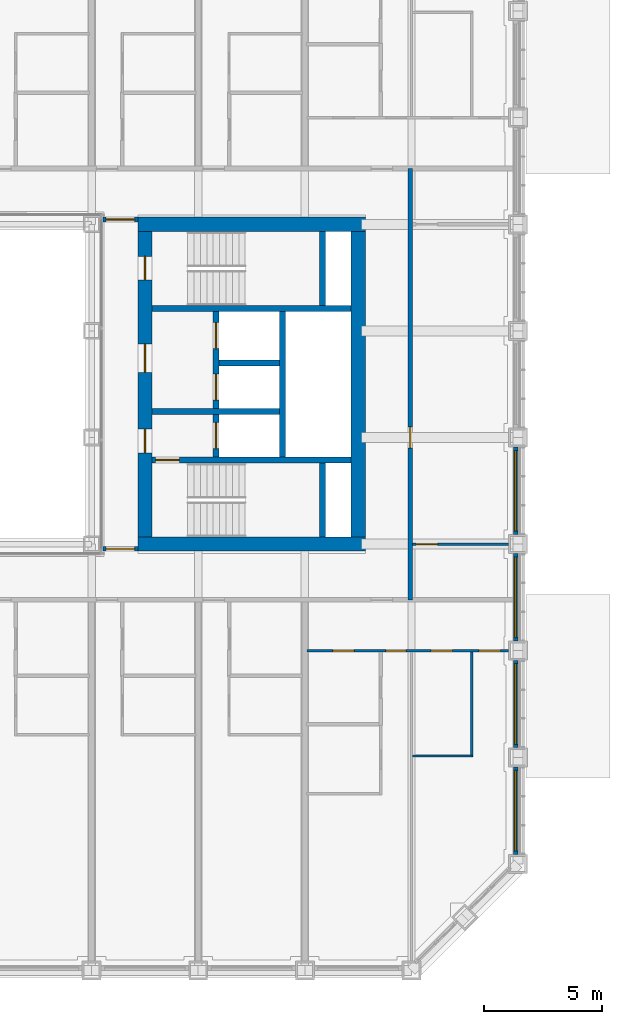
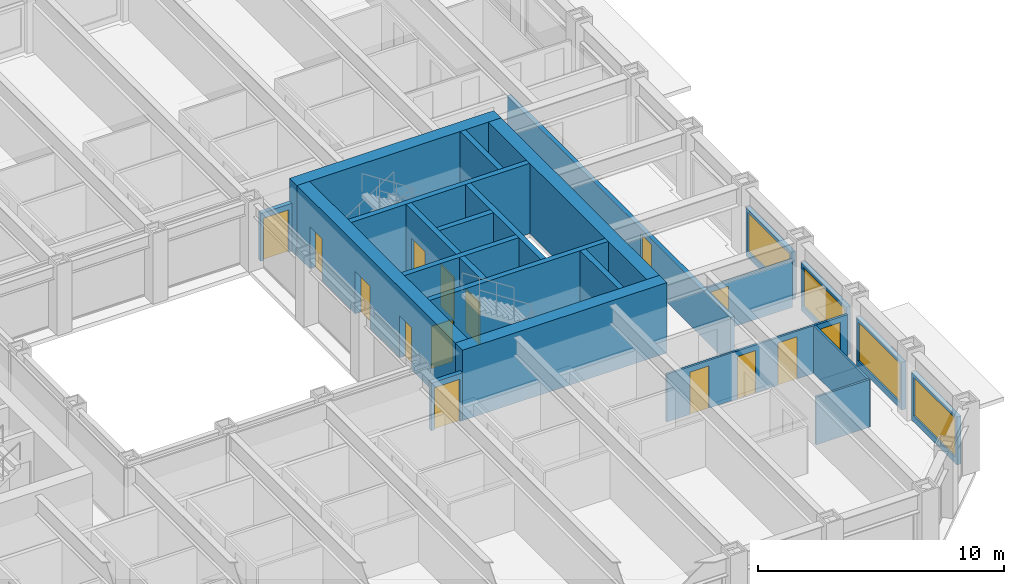
# One storey, part 15 of 24: 23 walls, 15 doors, 4 windows, 19 openings.
"""IFC4 building model written with IfcOpenShell, lengths in metres."""

from ifc_helpers import new_model, si_unit, direction, frame, frame_2d, origin, place, context, subcontext, project, spatial, rectangle, extrude, material, layer, layer_set, type_object, element, fill, save


model = new_model("IFC4")

# Units and contexts
model_context = context("Model", 3, precision=1e-05, world=origin(), true_north=direction((0.0, 1.0)))
body_context = subcontext(model_context, "Body", "Model", "MODEL_VIEW")
ifc_project = project(units=[si_unit("LENGTHUNIT", "METRE"), si_unit("AREAUNIT", "SQUARE_METRE"), si_unit("VOLUMEUNIT", "CUBIC_METRE"), si_unit("PLANEANGLEUNIT", "RADIAN"), si_unit("MASSUNIT", "GRAM", prefix="KILO")], contexts=[model_context])

# Site, building, storey
site_placement = place(None, origin())
site = spatial("IfcSite", under=ifc_project, at=site_placement, CompositionType="ELEMENT")
building_placement = place(site_placement, origin())
building = spatial("IfcBuilding", under=site, at=building_placement, Name="Msasa Ring Tower", CompositionType="ELEMENT")
storey_placement = place(building_placement, frame((0.0, 0.0, 26.5)))
storey = spatial("IfcBuildingStorey", under=building, at=storey_placement, Name="L05", CompositionType="ELEMENT", Elevation=26.5)

# Walls
ifc_material_1 = material(Name="Concrete C60/75", Category="concrete")
ifc_layer_1 = layer(ifc_material_1, 0.60009765625)
ifc_layer_set_1 = layer_set([ifc_layer_1], Name="CW1 CORE WALL 600")
wall_type_1 = type_object("IfcWallType", Name="CW1 CORE WALL 600", PredefinedType="SHEAR", material=ifc_layer_set_1)
for number, where, z_axis, x_axis, name in (
    (1, (8.699951171875, -6.75, 0.0), (0.0, 0.0, 1.0), (1.0, 0.0, 0.0), "E core wall S L05"),
    (2, (8.699951171875, 6.75, 0.0), (0.0, 0.0, 1.0), (1.0, 0.0, 0.0), "E core wall N L05"),
):
    element("IfcWall", number, at=place(storey_placement, frame(where, z_axis=z_axis, x_axis=x_axis)), inside=storey, type_object=wall_type_1, Name=name, PredefinedType="SHEAR", context=body_context, shape_type="SweptSolid", body=[
        extrude(rectangle(XDim=9.60009765625, YDim=0.60009765625, at=frame_2d((4.800048828125, 0.0))), origin(), (0.0, 0.0, 1.0), 3.5),
    ])

# Wall, openings, doors
wall_1_placement = place(storey_placement, frame((9.0, -6.449951171875, 0.0), z_axis=(0.0, 0.0, 1.0), x_axis=(0.0, 1.0, 0.0)))
wall_1 = element("IfcWall", 3, at=wall_1_placement, inside=storey, type_object=wall_type_1, Name="E core wall W L05", PredefinedType="SHEAR", context=body_context, shape_type="SweptSolid", body=[
    extrude(rectangle(XDim=12.89990234375, YDim=0.60009765625, at=frame_2d((6.449951171875, 0.0))), origin(), (0.0, 0.0, 1.0), 3.5),
])
opening_1_placement = place(wall_1_placement, frame((3.550048828125, 0.0, 0.0)))
opening_1 = element("IfcOpeningElement", 4, at=opening_1_placement, cuts=wall_1, Name="Opening RA-046", PredefinedType="OPENING", context=body_context, shape_type="SweptSolid", body=[
    extrude(rectangle(XDim=1.0, YDim=2.10009765625, at=frame_2d((0.5, 1.050048828125))), frame((0.0, 0.31005859375, 0.0), z_axis=(0.0, -1.0, 0.0), x_axis=(1.0, 0.0, 0.0)), (0.0, 0.0, 1.0), 0.6201171875),
])
opening_2_placement = place(wall_1_placement, frame((6.949951171875, 0.0, 0.0)))
opening_2 = element("IfcOpeningElement", 5, at=opening_2_placement, cuts=wall_1, Name="Opening RA-041", PredefinedType="OPENING", context=body_context, shape_type="SweptSolid", body=[
    extrude(rectangle(XDim=1.199951171875, YDim=2.10009765625, at=frame_2d((0.60009765625, 1.050048828125))), frame((0.0, 0.31005859375, 0.0), z_axis=(0.0, -1.0, 0.0), x_axis=(1.0, 0.0, 0.0)), (0.0, 0.0, 1.0), 0.6201171875),
])
opening_3_placement = place(wall_1_placement, frame((10.85009765625, 0.0, 0.0)))
opening_3 = element("IfcOpeningElement", 6, at=opening_3_placement, cuts=wall_1, Name="Opening RA-039", PredefinedType="OPENING", context=body_context, shape_type="SweptSolid", body=[
    extrude(rectangle(XDim=1.0, YDim=2.10009765625, at=frame_2d((0.5, 1.050048828125))), frame((0.0, 0.31005859375, 0.0), z_axis=(0.0, -1.0, 0.0), x_axis=(1.0, 0.0, 0.0)), (0.0, 0.0, 1.0), 0.6201171875),
])
ifc_material_2 = material(Name="Timber door leaf in a steel frame", Category="steel")
door_type_1 = type_object("IfcDoorType", Name="D4 LOBBY DOOR 1000x2100", OperationType="SINGLE_SWING_LEFT", PredefinedType="DOOR", material=ifc_material_2)
door_1_placement = place(opening_1_placement, origin())
door_1 = element("IfcDoor", 7, at=door_1_placement, inside=storey, type_object=door_type_1, Name="Door L05-EFFL", OperationType="SINGLE_SWING_LEFT", OverallHeight=2.10009765625, OverallWidth=1.0, PredefinedType="DOOR", context=body_context, shape_type="SweptSolid", body=[
    extrude(rectangle(XDim=1.0, YDim=2.10009765625, at=frame_2d((0.5, 1.050048828125))), frame((0.0, 0.02490234375, 0.0), z_axis=(0.0, -1.0, 0.0), x_axis=(1.0, 0.0, 0.0)), (0.0, 0.0, 1.0), 0.050048828125),
])
fill(opening_1, door_1)
ifc_material_3 = material(Name="Timber door leaf in a steel frame", Category="steel")
door_type_2 = type_object("IfcDoorType", Name="D5 WIDE LOBBY DOOR 1200x2100", OperationType="SINGLE_SWING_LEFT", PredefinedType="DOOR", material=ifc_material_3)
door_2_placement = place(opening_2_placement, origin())
door_2 = element("IfcDoor", 8, at=door_2_placement, inside=storey, type_object=door_type_2, Name="Door L05-ELL", OperationType="SINGLE_SWING_RIGHT", OverallHeight=2.10009765625, OverallWidth=1.199951171875, PredefinedType="DOOR", context=body_context, shape_type="SweptSolid", body=[
    extrude(rectangle(XDim=1.199951171875, YDim=2.10009765625, at=frame_2d((0.60009765625, 1.050048828125))), frame((0.0, 0.02490234375, 0.0), z_axis=(0.0, -1.0, 0.0), x_axis=(1.0, 0.0, 0.0)), (0.0, 0.0, 1.0), 0.050048828125),
])
fill(opening_2, door_2)
ifc_material_4 = material(Name="Timber door leaf in a steel frame", Category="steel")
door_type_3 = type_object("IfcDoorType", Name="D6 STAIR DOOR 1000x2100", OperationType="SINGLE_SWING_LEFT", PredefinedType="DOOR", material=ifc_material_4)
door_3_placement = place(opening_3_placement, origin())
door_3 = element("IfcDoor", 9, at=door_3_placement, inside=storey, type_object=door_type_3, Name="Door L05-ESTB", OperationType="SINGLE_SWING_RIGHT", OverallHeight=2.10009765625, OverallWidth=1.0, PredefinedType="DOOR", context=body_context, shape_type="SweptSolid", body=[
    extrude(rectangle(XDim=1.0, YDim=2.10009765625, at=frame_2d((0.5, 1.050048828125))), frame((0.0, 0.02490234375, 0.0), z_axis=(0.0, -1.0, 0.0), x_axis=(1.0, 0.0, 0.0)), (0.0, 0.0, 1.0), 0.050048828125),
])
fill(opening_3, door_3)

# Wall
wall_2_placement = place(storey_placement, frame((18.0, -6.449951171875, 0.0), z_axis=(0.0, 0.0, 1.0), x_axis=(0.0, 1.0, 0.0)))
element("IfcWall", 10, at=wall_2_placement, inside=storey, type_object=wall_type_1, Name="E core wall E L05", PredefinedType="SHEAR", context=body_context, shape_type="SweptSolid", body=[
    extrude(rectangle(XDim=12.89990234375, YDim=0.60009765625, at=frame_2d((6.449951171875, 0.0))), origin(), (0.0, 0.0, 1.0), 3.5),
])

# Wall, opening, door
ifc_material_5 = material(Name="Concrete C60/75", Category="concrete")
ifc_layer_2 = layer(ifc_material_5, 0.25)
ifc_layer_set_2 = layer_set([ifc_layer_2], Name="CW4 CORE INNER WALL 250")
wall_type_2 = type_object("IfcWallType", Name="CW4 CORE INNER WALL 250", PredefinedType="SHEAR", material=ifc_layer_set_2)
wall_3_placement = place(storey_placement, frame((9.300048828125, -3.199951171875, 0.0), z_axis=(0.0, 0.0, 1.0), x_axis=(1.0, 0.0, 0.0)))
wall_3 = element("IfcWall", 11, at=wall_3_placement, inside=storey, type_object=wall_type_2, Name="E core wall STAIRA L05", PredefinedType="SHEAR", context=body_context, shape_type="SweptSolid", body=[
    extrude(rectangle(XDim=8.39990234375, YDim=0.25, at=frame_2d((4.199951171875, 0.0))), origin(), (0.0, 0.0, 1.0), 3.5),
])
opening_4_placement = place(wall_3_placement, frame((0.14990234375, 0.0, 0.0)))
opening_4 = element("IfcOpeningElement", 12, at=opening_4_placement, cuts=wall_3, Name="Opening RA-048", PredefinedType="OPENING", context=body_context, shape_type="SweptSolid", body=[
    extrude(rectangle(XDim=1.0, YDim=2.10009765625, at=frame_2d((0.5, 1.050048828125))), frame((0.0, 0.135009765625, 0.0), z_axis=(0.0, -1.0, 0.0), x_axis=(1.0, 0.0, 0.0)), (0.0, 0.0, 1.0), 0.27001953125),
])
door_4_placement = place(opening_4_placement, origin())
door_4 = element("IfcDoor", 13, at=door_4_placement, inside=storey, type_object=door_type_3, Name="Door L05-ESTA", OperationType="SINGLE_SWING_LEFT", OverallHeight=2.10009765625, OverallWidth=1.0, PredefinedType="DOOR", context=body_context, shape_type="SweptSolid", body=[
    extrude(rectangle(XDim=1.0, YDim=2.10009765625, at=frame_2d((0.5, 1.050048828125))), frame((0.0, 0.02490234375, 0.0), z_axis=(0.0, -1.0, 0.0), x_axis=(1.0, 0.0, 0.0)), (0.0, 0.0, 1.0), 0.050048828125),
])
fill(opening_4, door_4)

# Walls
wall_4_placement = place(storey_placement, frame((9.300048828125, 3.199951171875, 0.0), z_axis=(0.0, 0.0, 1.0), x_axis=(1.0, 0.0, 0.0)))
element("IfcWall", 14, at=wall_4_placement, inside=storey, type_object=wall_type_2, Name="E core wall STAIRB L05", PredefinedType="SHEAR", context=body_context, shape_type="SweptSolid", body=[
    extrude(rectangle(XDim=8.39990234375, YDim=0.25, at=frame_2d((4.199951171875, 0.0))), origin(), (0.0, 0.0, 1.0), 3.5),
])
for number, where, z_axis, x_axis, name in (
    (15, (16.5, -6.449951171875, 0.0), (0.0, 0.0, 1.0), (0.0, 1.0, 0.0), "E core wall RISERA L05"),
    (16, (16.5, 3.324951171875, 0.0), (0.0, 0.0, 1.0), (0.0, 1.0, 0.0), "E core wall RISERB L05"),
):
    element("IfcWall", number, at=place(storey_placement, frame(where, z_axis=z_axis, x_axis=x_axis)), inside=storey, type_object=wall_type_2, Name=name, PredefinedType="SHEAR", context=body_context, shape_type="SweptSolid", body=[
        extrude(rectangle(XDim=3.125, YDim=0.25, at=frame_2d((1.5625, 0.0))), origin(), (0.0, 0.0, 1.0), 3.5),
    ])
wall_5_placement = place(storey_placement, frame((9.300048828125, -1.14990234375, 0.0), z_axis=(0.0, 0.0, 1.0), x_axis=(1.0, 0.0, 0.0)))
element("IfcWall", 17, at=wall_5_placement, inside=storey, type_object=wall_type_2, Name="E core wall FFL L05", PredefinedType="SHEAR", context=body_context, shape_type="SweptSolid", body=[
    extrude(rectangle(XDim=5.375, YDim=0.25, at=frame_2d((2.6875, 0.0))), origin(), (0.0, 0.0, 1.0), 3.5),
])

# Wall, openings, doors
wall_6_placement = place(storey_placement, frame((12.0, -3.074951171875, 0.0), z_axis=(0.0, 0.0, 1.0), x_axis=(0.0, 1.0, 0.0)))
wall_6 = element("IfcWall", 18, at=wall_6_placement, inside=storey, type_object=wall_type_2, Name="E core wall LOBBY L05", PredefinedType="SHEAR", context=body_context, shape_type="SweptSolid", body=[
    extrude(rectangle(XDim=6.14990234375, YDim=0.25, at=frame_2d((3.074951171875, 0.0))), origin(), (0.0, 0.0, 1.0), 3.5),
])
opening_5_placement = place(wall_6_placement, frame((0.35009765625, 0.0, 0.0)))
opening_5 = element("IfcOpeningElement", 19, at=opening_5_placement, cuts=wall_6, Name="Opening LD1", PredefinedType="OPENING", context=body_context, shape_type="SweptSolid", body=[
    extrude(rectangle(XDim=1.10009765625, YDim=2.10009765625, at=frame_2d((0.550048828125, 1.050048828125))), frame((0.0, 0.135009765625, 0.0), z_axis=(0.0, -1.0, 0.0), x_axis=(1.0, 0.0, 0.0)), (0.0, 0.0, 1.0), 0.27001953125),
])
opening_6_placement = place(wall_6_placement, frame((2.39990234375, 0.0, 0.0)))
opening_6 = element("IfcOpeningElement", 20, at=opening_6_placement, cuts=wall_6, Name="Opening LD1", PredefinedType="OPENING", context=body_context, shape_type="SweptSolid", body=[
    extrude(rectangle(XDim=1.10009765625, YDim=2.10009765625, at=frame_2d((0.550048828125, 1.050048828125))), frame((0.0, 0.135009765625, 0.0), z_axis=(0.0, -1.0, 0.0), x_axis=(1.0, 0.0, 0.0)), (0.0, 0.0, 1.0), 0.27001953125),
])
opening_7_placement = place(wall_6_placement, frame((4.574951171875, 0.0, 0.0)))
opening_7 = element("IfcOpeningElement", 21, at=opening_7_placement, cuts=wall_6, Name="Opening LD1", PredefinedType="OPENING", context=body_context, shape_type="SweptSolid", body=[
    extrude(rectangle(XDim=1.10009765625, YDim=2.10009765625, at=frame_2d((0.550048828125, 1.050048828125))), frame((0.0, 0.135009765625, 0.0), z_axis=(0.0, -1.0, 0.0), x_axis=(1.0, 0.0, 0.0)), (0.0, 0.0, 1.0), 0.27001953125),
])
ifc_material_6 = material(Name="Stainless steel lift landing door", Category="steel")
door_type_4 = type_object("IfcDoorType", Name="LD1 LIFT LANDING DOOR 1100x2100", OperationType="DOUBLE_DOOR_SLIDING", PredefinedType="DOOR", material=ifc_material_6)
door_5_placement = place(opening_5_placement, origin())
door_5 = element("IfcDoor", 22, at=door_5_placement, inside=storey, type_object=door_type_4, Name="Lift landing door FL-E L05", OperationType="DOUBLE_DOOR_SLIDING", OverallHeight=2.10009765625, OverallWidth=1.10009765625, PredefinedType="DOOR", context=body_context, shape_type="SweptSolid", body=[
    extrude(rectangle(XDim=1.10009765625, YDim=2.10009765625, at=frame_2d((0.550048828125, 1.050048828125))), frame((0.0, 0.02490234375, 0.0), z_axis=(0.0, -1.0, 0.0), x_axis=(1.0, 0.0, 0.0)), (0.0, 0.0, 1.0), 0.050048828125),
])
fill(opening_5, door_5)
door_6_placement = place(opening_6_placement, origin())
door_6 = element("IfcDoor", 23, at=door_6_placement, inside=storey, type_object=door_type_4, Name="Lift landing door PL-R1 L05", OperationType="DOUBLE_DOOR_SLIDING", OverallHeight=2.10009765625, OverallWidth=1.10009765625, PredefinedType="DOOR", context=body_context, shape_type="SweptSolid", body=[
    extrude(rectangle(XDim=1.10009765625, YDim=2.10009765625, at=frame_2d((0.550048828125, 1.050048828125))), frame((0.0, 0.02490234375, 0.0), z_axis=(0.0, -1.0, 0.0), x_axis=(1.0, 0.0, 0.0)), (0.0, 0.0, 1.0), 0.050048828125),
])
fill(opening_6, door_6)
door_7_placement = place(opening_7_placement, origin())
door_7 = element("IfcDoor", 24, at=door_7_placement, inside=storey, type_object=door_type_4, Name="Lift landing door PL-R2 L05", OperationType="DOUBLE_DOOR_SLIDING", OverallHeight=2.10009765625, OverallWidth=1.10009765625, PredefinedType="DOOR", context=body_context, shape_type="SweptSolid", body=[
    extrude(rectangle(XDim=1.10009765625, YDim=2.10009765625, at=frame_2d((0.550048828125, 1.050048828125))), frame((0.0, 0.02490234375, 0.0), z_axis=(0.0, -1.0, 0.0), x_axis=(1.0, 0.0, 0.0)), (0.0, 0.0, 1.0), 0.050048828125),
])
fill(opening_7, door_7)

# Walls
wall_7_placement = place(storey_placement, frame((14.800048828125, -3.074951171875, 0.0), z_axis=(0.0, 0.0, 1.0), x_axis=(0.0, 1.0, 0.0)))
element("IfcWall", 25, at=wall_7_placement, inside=storey, type_object=wall_type_2, Name="E core wall SHAFT L05", PredefinedType="SHEAR", context=body_context, shape_type="SweptSolid", body=[
    extrude(rectangle(XDim=6.14990234375, YDim=0.25, at=frame_2d((3.074951171875, 0.0))), origin(), (0.0, 0.0, 1.0), 3.5),
])
wall_8_placement = place(storey_placement, frame((12.125, 0.89990234375, 0.0), z_axis=(0.0, 0.0, 1.0), x_axis=(1.0, 0.0, 0.0)))
element("IfcWall", 26, at=wall_8_placement, inside=storey, type_object=wall_type_2, Name="E core wall LIFT1 L05", PredefinedType="SHEAR", context=body_context, shape_type="SweptSolid", body=[
    extrude(rectangle(XDim=2.550048828125, YDim=0.25, at=frame_2d((1.27490234375, 0.0))), origin(), (0.0, 0.0, 1.0), 3.5),
])

# Wall, opening, window
ifc_material_7 = material(Name="Terracotta rainscreen on blockwork", Category="masonry")
ifc_layer_3 = layer(ifc_material_7, 0.199951171875)
ifc_layer_set_3 = layer_set([ifc_layer_3], Name="FW1 TERRACOTTA-LINED INFILL BAY WALL 200")
wall_type_3 = type_object("IfcWallType", Name="FW1 TERRACOTTA-LINED INFILL BAY WALL 200", PredefinedType="SOLIDWALL", material=ifc_layer_set_3)
wall_9_placement = place(storey_placement, frame((24.64990234375, -19.844970703125, 0.0), z_axis=(0.0, 0.0, 1.0), x_axis=(0.0, 1.0, 0.0)))
wall_9 = element("IfcWall", 27, at=wall_9_placement, inside=storey, type_object=wall_type_3, Name="Infill bay wall E L05 11", PredefinedType="SOLIDWALL", context=body_context, shape_type="SweptSolid", body=[
    extrude(rectangle(XDim=3.68994140625, YDim=0.199951171875, at=frame_2d((1.844970703125, 0.0))), origin(), (0.0, 0.0, 1.0), 2.37890625),
])
opening_8_placement = place(wall_9_placement, frame((0.14501953125, 0.0, 0.300048828125)))
opening_8 = element("IfcOpeningElement", 28, at=opening_8_placement, cuts=wall_9, Name="Opening WN1", PredefinedType="OPENING", context=body_context, shape_type="SweptSolid", body=[
    extrude(rectangle(XDim=3.39990234375, YDim=1.928955078125, at=frame_2d((1.699951171875, 0.96435546875))), frame((0.0, 0.10986328125, 0.0), z_axis=(0.0, -1.0, 0.0), x_axis=(1.0, 0.0, 0.0)), (0.0, 0.0, 1.0), 0.219970703125),
])
ifc_material_8 = material(Name="Aluminium frame with clear glass", Category="aluminium")
window_type = type_object("IfcWindowType", Name="WN1 RESIDENCE WINDOW 3400x1929", PartitioningType="SINGLE_PANEL", PredefinedType="WINDOW", material=ifc_material_8)
window_1_placement = place(opening_8_placement, origin())
window_1 = element("IfcWindow", 29, at=window_1_placement, inside=storey, type_object=window_type, Name="Window E L05 11", OverallHeight=1.928955078125, OverallWidth=3.39990234375, PartitioningType="SINGLE_PANEL", PredefinedType="WINDOW", context=body_context, shape_type="SweptSolid", body=[
    extrude(rectangle(XDim=3.39990234375, YDim=1.928955078125, at=frame_2d((1.699951171875, 0.96435546875))), frame((0.0, 0.030029296875, 0.0), z_axis=(0.0, -1.0, 0.0), x_axis=(1.0, 0.0, 0.0)), (0.0, 0.0, 1.0), 0.06005859375),
])
fill(opening_8, window_1)

wall_10_placement = place(storey_placement, frame((24.64990234375, -15.344970703125, 0.0), z_axis=(0.0, 0.0, 1.0), x_axis=(0.0, 1.0, 0.0)))
wall_10 = element("IfcWall", 30, at=wall_10_placement, inside=storey, type_object=wall_type_3, Name="Infill bay wall E L05 12", PredefinedType="SOLIDWALL", context=body_context, shape_type="SweptSolid", body=[
    extrude(rectangle(XDim=3.68994140625, YDim=0.199951171875, at=frame_2d((1.844970703125, 0.0))), origin(), (0.0, 0.0, 1.0), 2.37890625),
])
opening_9_placement = place(wall_10_placement, frame((0.14501953125, 0.0, 0.300048828125)))
opening_9 = element("IfcOpeningElement", 31, at=opening_9_placement, cuts=wall_10, Name="Opening WN1", PredefinedType="OPENING", context=body_context, shape_type="SweptSolid", body=[
    extrude(rectangle(XDim=3.39990234375, YDim=1.928955078125, at=frame_2d((1.699951171875, 0.96435546875))), frame((0.0, 0.10986328125, 0.0), z_axis=(0.0, -1.0, 0.0), x_axis=(1.0, 0.0, 0.0)), (0.0, 0.0, 1.0), 0.219970703125),
])
window_2_placement = place(opening_9_placement, origin())
window_2 = element("IfcWindow", 32, at=window_2_placement, inside=storey, type_object=window_type, Name="Window E L05 12", OverallHeight=1.928955078125, OverallWidth=3.39990234375, PartitioningType="SINGLE_PANEL", PredefinedType="WINDOW", context=body_context, shape_type="SweptSolid", body=[
    extrude(rectangle(XDim=3.39990234375, YDim=1.928955078125, at=frame_2d((1.699951171875, 0.96435546875))), frame((0.0, 0.030029296875, 0.0), z_axis=(0.0, -1.0, 0.0), x_axis=(1.0, 0.0, 0.0)), (0.0, 0.0, 1.0), 0.06005859375),
])
fill(opening_9, window_2)

wall_11_placement = place(storey_placement, frame((24.64990234375, -10.844970703125, 0.0), z_axis=(0.0, 0.0, 1.0), x_axis=(0.0, 1.0, 0.0)))
wall_11 = element("IfcWall", 33, at=wall_11_placement, inside=storey, type_object=wall_type_3, Name="Infill bay wall E L05 13", PredefinedType="SOLIDWALL", context=body_context, shape_type="SweptSolid", body=[
    extrude(rectangle(XDim=3.68994140625, YDim=0.199951171875, at=frame_2d((1.844970703125, 0.0))), origin(), (0.0, 0.0, 1.0), 2.37890625),
])
opening_10_placement = place(wall_11_placement, frame((0.14501953125, 0.0, 0.300048828125)))
opening_10 = element("IfcOpeningElement", 34, at=opening_10_placement, cuts=wall_11, Name="Opening WN1", PredefinedType="OPENING", context=body_context, shape_type="SweptSolid", body=[
    extrude(rectangle(XDim=3.39990234375, YDim=1.928955078125, at=frame_2d((1.699951171875, 0.96435546875))), frame((0.0, 0.10986328125, 0.0), z_axis=(0.0, -1.0, 0.0), x_axis=(1.0, 0.0, 0.0)), (0.0, 0.0, 1.0), 0.219970703125),
])
window_3_placement = place(opening_10_placement, origin())
window_3 = element("IfcWindow", 35, at=window_3_placement, inside=storey, type_object=window_type, Name="Window E L05 13", OverallHeight=1.928955078125, OverallWidth=3.39990234375, PartitioningType="SINGLE_PANEL", PredefinedType="WINDOW", context=body_context, shape_type="SweptSolid", body=[
    extrude(rectangle(XDim=3.39990234375, YDim=1.928955078125, at=frame_2d((1.699951171875, 0.96435546875))), frame((0.0, 0.030029296875, 0.0), z_axis=(0.0, -1.0, 0.0), x_axis=(1.0, 0.0, 0.0)), (0.0, 0.0, 1.0), 0.06005859375),
])
fill(opening_10, window_3)

wall_12_placement = place(storey_placement, frame((24.64990234375, -6.344970703125, 0.0), z_axis=(0.0, 0.0, 1.0), x_axis=(0.0, 1.0, 0.0)))
wall_12 = element("IfcWall", 36, at=wall_12_placement, inside=storey, type_object=wall_type_3, Name="Infill bay wall E L05 14", PredefinedType="SOLIDWALL", context=body_context, shape_type="SweptSolid", body=[
    extrude(rectangle(XDim=3.68994140625, YDim=0.199951171875, at=frame_2d((1.844970703125, 0.0))), origin(), (0.0, 0.0, 1.0), 2.37890625),
])
opening_11_placement = place(wall_12_placement, frame((0.14501953125, 0.0, 0.300048828125)))
opening_11 = element("IfcOpeningElement", 37, at=opening_11_placement, cuts=wall_12, Name="Opening WN1", PredefinedType="OPENING", context=body_context, shape_type="SweptSolid", body=[
    extrude(rectangle(XDim=3.39990234375, YDim=1.928955078125, at=frame_2d((1.699951171875, 0.96435546875))), frame((0.0, 0.10986328125, 0.0), z_axis=(0.0, -1.0, 0.0), x_axis=(1.0, 0.0, 0.0)), (0.0, 0.0, 1.0), 0.219970703125),
])
window_4_placement = place(opening_11_placement, origin())
window_4 = element("IfcWindow", 38, at=window_4_placement, inside=storey, type_object=window_type, Name="Window E L05 14", OverallHeight=1.928955078125, OverallWidth=3.39990234375, PartitioningType="SINGLE_PANEL", PredefinedType="WINDOW", context=body_context, shape_type="SweptSolid", body=[
    extrude(rectangle(XDim=3.39990234375, YDim=1.928955078125, at=frame_2d((1.699951171875, 0.96435546875))), frame((0.0, 0.030029296875, 0.0), z_axis=(0.0, -1.0, 0.0), x_axis=(1.0, 0.0, 0.0)), (0.0, 0.0, 1.0), 0.06005859375),
])
fill(opening_11, window_4)

# Wall, opening, door
ifc_material_9 = material(Name="Concrete blockwork", Category="masonry")
ifc_layer_4 = layer(ifc_material_9, 0.199951171875)
ifc_layer_set_4 = layer_set([ifc_layer_4], Name="PT1 CORRIDOR WALL 200")
wall_type_4 = type_object("IfcWallType", Name="PT1 CORRIDOR WALL 200", PredefinedType="PARTITIONING", material=ifc_layer_set_4)
wall_13_placement = place(storey_placement, frame((7.22998046875, 6.949951171875, 0.0), z_axis=(0.0, 0.0, 1.0), x_axis=(1.0, 0.0, 0.0)))
wall_13 = element("IfcWall", 39, at=wall_13_placement, inside=storey, type_object=wall_type_4, Name="Corridor wall L05-SDEN", PredefinedType="PARTITIONING", context=body_context, shape_type="SweptSolid", body=[
    extrude(rectangle(XDim=1.469970703125, YDim=0.199951171875, at=frame_2d((0.73486328125, 0.0))), origin(), (0.0, 0.0, 1.0), 2.373291015625),
])
opening_12_placement = place(wall_13_placement, frame((0.135009765625, 0.0, 0.0)))
opening_12 = element("IfcOpeningElement", 40, at=opening_12_placement, cuts=wall_13, Name="Opening RA-036", PredefinedType="OPENING", context=body_context, shape_type="SweptSolid", body=[
    extrude(rectangle(XDim=1.199951171875, YDim=2.10009765625, at=frame_2d((0.60009765625, 1.050048828125))), frame((0.0, 0.10986328125, 0.0), z_axis=(0.0, -1.0, 0.0), x_axis=(1.0, 0.0, 0.0)), (0.0, 0.0, 1.0), 0.219970703125),
])
ifc_material_10 = material(Name="Timber door leaf in a steel frame", Category="steel")
door_type_5 = type_object("IfcDoorType", Name="D25 CORRIDOR PAIR OF SMOKE DOORS 1200x2100", OperationType="DOUBLE_DOOR_DOUBLE_SWING", PredefinedType="DOOR", material=ifc_material_10)
door_8_placement = place(opening_12_placement, origin())
door_8 = element("IfcDoor", 41, at=door_8_placement, inside=storey, type_object=door_type_5, Name="Door L05-SDEN", OperationType="DOUBLE_DOOR_DOUBLE_SWING", OverallHeight=2.10009765625, OverallWidth=1.199951171875, PredefinedType="DOOR", context=body_context, shape_type="SweptSolid", body=[
    extrude(rectangle(XDim=1.199951171875, YDim=2.10009765625, at=frame_2d((0.60009765625, 1.050048828125))), frame((0.0, 0.02490234375, 0.0), z_axis=(0.0, -1.0, 0.0), x_axis=(1.0, 0.0, 0.0)), (0.0, 0.0, 1.0), 0.050048828125),
])
fill(opening_12, door_8)

wall_14_placement = place(storey_placement, frame((7.22998046875, -6.949951171875, 0.0), z_axis=(0.0, 0.0, 1.0), x_axis=(1.0, 0.0, 0.0)))
wall_14 = element("IfcWall", 42, at=wall_14_placement, inside=storey, type_object=wall_type_4, Name="Corridor wall L05-SDES", PredefinedType="PARTITIONING", context=body_context, shape_type="SweptSolid", body=[
    extrude(rectangle(XDim=1.469970703125, YDim=0.199951171875, at=frame_2d((0.73486328125, 0.0))), origin(), (0.0, 0.0, 1.0), 2.373291015625),
])
opening_13_placement = place(wall_14_placement, frame((0.135009765625, 0.0, 0.0)))
opening_13 = element("IfcOpeningElement", 43, at=opening_13_placement, cuts=wall_14, Name="Opening RA-050", PredefinedType="OPENING", context=body_context, shape_type="SweptSolid", body=[
    extrude(rectangle(XDim=1.199951171875, YDim=2.10009765625, at=frame_2d((0.60009765625, 1.050048828125))), frame((0.0, 0.10986328125, 0.0), z_axis=(0.0, -1.0, 0.0), x_axis=(1.0, 0.0, 0.0)), (0.0, 0.0, 1.0), 0.219970703125),
])
door_9_placement = place(opening_13_placement, origin())
door_9 = element("IfcDoor", 44, at=door_9_placement, inside=storey, type_object=door_type_5, Name="Door L05-SDES", OperationType="DOUBLE_DOOR_DOUBLE_SWING", OverallHeight=2.10009765625, OverallWidth=1.199951171875, PredefinedType="DOOR", context=body_context, shape_type="SweptSolid", body=[
    extrude(rectangle(XDim=1.199951171875, YDim=2.10009765625, at=frame_2d((0.60009765625, 1.050048828125))), frame((0.0, 0.02490234375, 0.0), z_axis=(0.0, -1.0, 0.0), x_axis=(1.0, 0.0, 0.0)), (0.0, 0.0, 1.0), 0.050048828125),
])
fill(opening_13, door_9)

wall_15_placement = place(storey_placement, frame((20.199951171875, -9.10009765625, 0.0), z_axis=(0.0, 0.0, 1.0), x_axis=(0.0, 1.0, 0.0)))
wall_15 = element("IfcWall", 45, at=wall_15_placement, inside=storey, type_object=wall_type_4, Name="Corridor wall L05-STRE", PredefinedType="PARTITIONING", context=body_context, shape_type="SweptSolid", body=[
    extrude(rectangle(XDim=18.2001953125, YDim=0.199951171875, at=frame_2d((9.10009765625, 0.0))), origin(), (0.0, 0.0, 1.0), 2.373291015625),
])
opening_14_placement = place(wall_15_placement, frame((6.39990234375, 0.0, 0.0)))
opening_14 = element("IfcOpeningElement", 46, at=opening_14_placement, cuts=wall_15, Name="Opening RA-044", PredefinedType="OPENING", context=body_context, shape_type="SweptSolid", body=[
    extrude(rectangle(XDim=0.89990234375, YDim=2.10009765625, at=frame_2d((0.449951171875, 1.050048828125))), frame((0.0, 0.10986328125, 0.0), z_axis=(0.0, -1.0, 0.0), x_axis=(1.0, 0.0, 0.0)), (0.0, 0.0, 1.0), 0.219970703125),
])
ifc_material_11 = material(Name="Timber door leaf in a steel frame", Category="steel")
door_type_6 = type_object("IfcDoorType", Name="D2 ENTRANCE DOOR 900x2100", OperationType="SINGLE_SWING_LEFT", PredefinedType="DOOR", material=ifc_material_11)
door_10_placement = place(opening_14_placement, origin())
door_10 = element("IfcDoor", 47, at=door_10_placement, inside=storey, type_object=door_type_6, Name="Door L05-STE", OperationType="SINGLE_SWING_LEFT", OverallHeight=2.10009765625, OverallWidth=0.89990234375, PredefinedType="DOOR", context=body_context, shape_type="SweptSolid", body=[
    extrude(rectangle(XDim=0.89990234375, YDim=2.10009765625, at=frame_2d((0.449951171875, 1.050048828125))), frame((0.0, 0.02490234375, 0.0), z_axis=(0.0, -1.0, 0.0), x_axis=(1.0, 0.0, 0.0)), (0.0, 0.0, 1.0), 0.050048828125),
])
fill(opening_14, door_10)

# Wall, openings, doors
ifc_material_12 = material(Name="Gypsum board on steel studs", Category="steel")
ifc_layer_5 = layer(ifc_material_12, 0.10009765625)
ifc_layer_set_5 = layer_set([ifc_layer_5], Name="PT2 STUD PARTITION 100")
wall_type_5 = type_object("IfcWallType", Name="PT2 STUD PARTITION 100", PredefinedType="PARTITIONING", material=ifc_layer_set_5)
wall_16_placement = place(storey_placement, frame((15.85009765625, -11.25, 0.0), z_axis=(0.0, 0.0, 1.0), x_axis=(1.0, 0.0, 0.0)))
wall_16 = element("IfcWall", 48, at=wall_16_placement, inside=storey, type_object=wall_type_5, Name="Partition L05-US08HY", PredefinedType="PARTITIONING", context=body_context, shape_type="SweptSolid", body=[
    extrude(rectangle(XDim=8.5, YDim=0.10009765625, at=frame_2d((4.25, 0.0))), origin(), (0.0, 0.0, 1.0), 2.373291015625),
])
opening_15_placement = place(wall_16_placement, frame((5.22509765625, 0.0, 0.0)))
opening_15 = element("IfcOpeningElement", 49, at=opening_15_placement, cuts=wall_16, Name="Opening RA-073", PredefinedType="OPENING", context=body_context, shape_type="SweptSolid", body=[
    extrude(rectangle(XDim=0.89990234375, YDim=2.10009765625, at=frame_2d((0.449951171875, 1.050048828125))), frame((0.0, 0.06005859375, 0.0), z_axis=(0.0, -1.0, 0.0), x_axis=(1.0, 0.0, 0.0)), (0.0, 0.0, 1.0), 0.1201171875),
])
opening_16_placement = place(wall_16_placement, frame((7.25, 0.0, 0.0)))
opening_16 = element("IfcOpeningElement", 50, at=opening_16_placement, cuts=wall_16, Name="Opening RA-074", PredefinedType="OPENING", context=body_context, shape_type="SweptSolid", body=[
    extrude(rectangle(XDim=0.89990234375, YDim=2.10009765625, at=frame_2d((0.449951171875, 1.050048828125))), frame((0.0, 0.06005859375, 0.0), z_axis=(0.0, -1.0, 0.0), x_axis=(1.0, 0.0, 0.0)), (0.0, 0.0, 1.0), 0.1201171875),
])
opening_17_placement = place(wall_16_placement, frame((3.324951171875, 0.0, 0.0)))
opening_17 = element("IfcOpeningElement", 51, at=opening_17_placement, cuts=wall_16, Name="Opening RA-072", PredefinedType="OPENING", context=body_context, shape_type="SweptSolid", body=[
    extrude(rectangle(XDim=0.85009765625, YDim=2.10009765625, at=frame_2d((0.425048828125, 1.050048828125))), frame((0.0, 0.06005859375, 0.0), z_axis=(0.0, -1.0, 0.0), x_axis=(1.0, 0.0, 0.0)), (0.0, 0.0, 1.0), 0.1201171875),
])
opening_18_placement = place(wall_16_placement, frame((1.080078125, 0.0, 0.0)))
opening_18 = element("IfcOpeningElement", 52, at=opening_18_placement, cuts=wall_16, Name="Opening RA-071", PredefinedType="OPENING", context=body_context, shape_type="SweptSolid", body=[
    extrude(rectangle(XDim=0.89990234375, YDim=2.10009765625, at=frame_2d((0.449951171875, 1.050048828125))), frame((0.0, 0.06005859375, 0.0), z_axis=(0.0, -1.0, 0.0), x_axis=(1.0, 0.0, 0.0)), (0.0, 0.0, 1.0), 0.1201171875),
])
ifc_material_13 = material(Name="Timber door leaf in a steel frame", Category="steel")
door_type_7 = type_object("IfcDoorType", Name="D14 BEDROOM DOOR 850x2100", OperationType="SINGLE_SWING_LEFT", PredefinedType="DOOR", material=ifc_material_13)
door_11_placement = place(opening_17_placement, origin())
door_11 = element("IfcDoor", 53, at=door_11_placement, inside=storey, type_object=door_type_7, Name="Door L05-US08R1", OperationType="SINGLE_SWING_LEFT", OverallHeight=2.10009765625, OverallWidth=0.85009765625, PredefinedType="DOOR", context=body_context, shape_type="SweptSolid", body=[
    extrude(rectangle(XDim=0.85009765625, YDim=2.10009765625, at=frame_2d((0.425048828125, 1.050048828125))), frame((0.0, 0.02490234375, 0.0), z_axis=(0.0, -1.0, 0.0), x_axis=(1.0, 0.0, 0.0)), (0.0, 0.0, 1.0), 0.050048828125),
])
fill(opening_17, door_11)
ifc_material_14 = material(Name="Timber door leaf in a steel frame", Category="steel")
door_type_8 = type_object("IfcDoorType", Name="D22 INTERNAL HALL DOOR 900x2100", OperationType="SINGLE_SWING_LEFT", PredefinedType="DOOR", material=ifc_material_14)
door_12_placement = place(opening_15_placement, origin())
door_12 = element("IfcDoor", 54, at=door_12_placement, inside=storey, type_object=door_type_8, Name="Door L05-US08K", OperationType="SINGLE_SWING_RIGHT", OverallHeight=2.10009765625, OverallWidth=0.89990234375, PredefinedType="DOOR", context=body_context, shape_type="SweptSolid", body=[
    extrude(rectangle(XDim=0.89990234375, YDim=2.10009765625, at=frame_2d((0.449951171875, 1.050048828125))), frame((0.0, 0.02490234375, 0.0), z_axis=(0.0, -1.0, 0.0), x_axis=(1.0, 0.0, 0.0)), (0.0, 0.0, 1.0), 0.050048828125),
])
fill(opening_15, door_12)
door_13_placement = place(opening_16_placement, origin())
door_13 = element("IfcDoor", 55, at=door_13_placement, inside=storey, type_object=door_type_8, Name="Door L05-US08L", OperationType="SINGLE_SWING_RIGHT", OverallHeight=2.10009765625, OverallWidth=0.89990234375, PredefinedType="DOOR", context=body_context, shape_type="SweptSolid", body=[
    extrude(rectangle(XDim=0.89990234375, YDim=2.10009765625, at=frame_2d((0.449951171875, 1.050048828125))), frame((0.0, 0.02490234375, 0.0), z_axis=(0.0, -1.0, 0.0), x_axis=(1.0, 0.0, 0.0)), (0.0, 0.0, 1.0), 0.050048828125),
])
fill(opening_16, door_13)
ifc_material_15 = material(Name="Timber door leaf in a steel frame", Category="steel")
door_type_9 = type_object("IfcDoorType", Name="D3 BATHROOM DOOR 900x2100", OperationType="SINGLE_SWING_LEFT", PredefinedType="DOOR", material=ifc_material_15)
door_14_placement = place(opening_18_placement, origin())
door_14 = element("IfcDoor", 56, at=door_14_placement, inside=storey, type_object=door_type_9, Name="Door L05-US08BH1", OperationType="SINGLE_SWING_LEFT", OverallHeight=2.10009765625, OverallWidth=0.89990234375, PredefinedType="DOOR", context=body_context, shape_type="SweptSolid", body=[
    extrude(rectangle(XDim=0.89990234375, YDim=2.10009765625, at=frame_2d((0.449951171875, 1.050048828125))), frame((0.0, 0.02490234375, 0.0), z_axis=(0.0, -1.0, 0.0), x_axis=(1.0, 0.0, 0.0)), (0.0, 0.0, 1.0), 0.050048828125),
])
fill(opening_18, door_14)

# Walls
wall_17_placement = place(storey_placement, frame((22.800048828125, -15.7421875, 0.0), z_axis=(0.0, 0.0, 1.0), x_axis=(0.0, 1.0, 0.0)))
element("IfcWall", 57, at=wall_17_placement, inside=storey, type_object=wall_type_5, Name="Partition L05-US08KX", PredefinedType="PARTITIONING", context=body_context, shape_type="SweptSolid", body=[
    extrude(rectangle(XDim=4.442138671875, YDim=0.10009765625, at=frame_2d((2.22119140625, 0.0))), origin(), (0.0, 0.0, 1.0), 2.373291015625),
])
wall_18_placement = place(storey_placement, frame((20.300048828125, -15.692138671875, 0.0), z_axis=(0.0, 0.0, 1.0), x_axis=(1.0, 0.0, 0.0)))
element("IfcWall", 58, at=wall_18_placement, inside=storey, type_object=wall_type_5, Name="Partition L05-US08KY", PredefinedType="PARTITIONING", context=body_context, shape_type="SweptSolid", body=[
    extrude(rectangle(XDim=2.5, YDim=0.10009765625, at=frame_2d((1.25, 0.0))), origin(), (0.0, 0.0, 1.0), 2.373291015625),
])

# Wall, opening, door
wall_19_placement = place(storey_placement, frame((20.300048828125, -6.75, 0.0), z_axis=(0.0, 0.0, 1.0), x_axis=(1.0, 0.0, 0.0)))
wall_19 = element("IfcWall", 59, at=wall_19_placement, inside=storey, type_object=wall_type_5, Name="Partition L05-STEKY", PredefinedType="PARTITIONING", context=body_context, shape_type="SweptSolid", body=[
    extrude(rectangle(XDim=4.050048828125, YDim=0.10009765625, at=frame_2d((2.02490234375, 0.0))), origin(), (0.0, 0.0, 1.0), 2.373291015625),
])
opening_19_placement = place(wall_19_placement, frame((0.14990234375, 0.0, 0.0)))
opening_19 = element("IfcOpeningElement", 60, at=opening_19_placement, cuts=wall_19, Name="Opening RA-049", PredefinedType="OPENING", context=body_context, shape_type="SweptSolid", body=[
    extrude(rectangle(XDim=0.89990234375, YDim=2.10009765625, at=frame_2d((0.449951171875, 1.050048828125))), frame((0.0, 0.06005859375, 0.0), z_axis=(0.0, -1.0, 0.0), x_axis=(1.0, 0.0, 0.0)), (0.0, 0.0, 1.0), 0.1201171875),
])
door_15_placement = place(opening_19_placement, origin())
door_15 = element("IfcDoor", 61, at=door_15_placement, inside=storey, type_object=door_type_8, Name="Door L05-STEK", OperationType="SINGLE_SWING_LEFT", OverallHeight=2.10009765625, OverallWidth=0.89990234375, PredefinedType="DOOR", context=body_context, shape_type="SweptSolid", body=[
    extrude(rectangle(XDim=0.89990234375, YDim=2.10009765625, at=frame_2d((0.449951171875, 1.050048828125))), frame((0.0, 0.02490234375, 0.0), z_axis=(0.0, -1.0, 0.0), x_axis=(1.0, 0.0, 0.0)), (0.0, 0.0, 1.0), 0.050048828125),
])
fill(opening_19, door_15)

save(model, "model.ifc")
